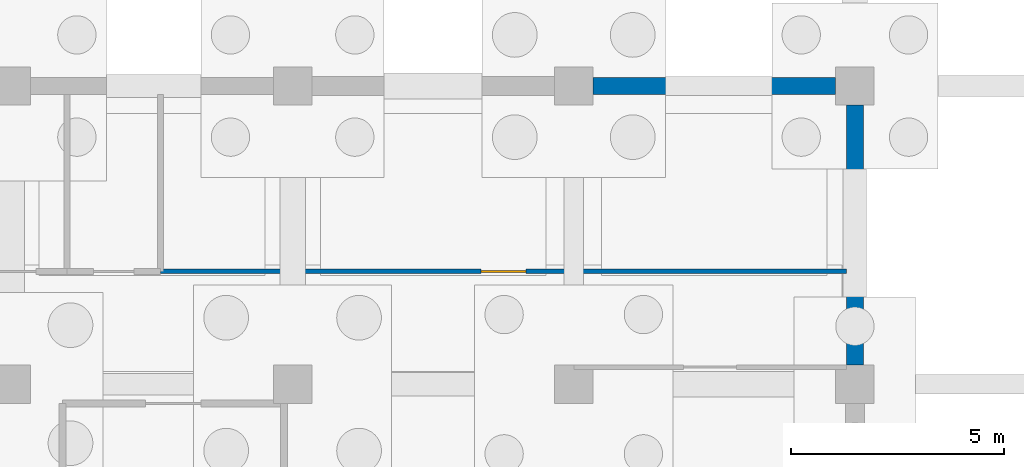
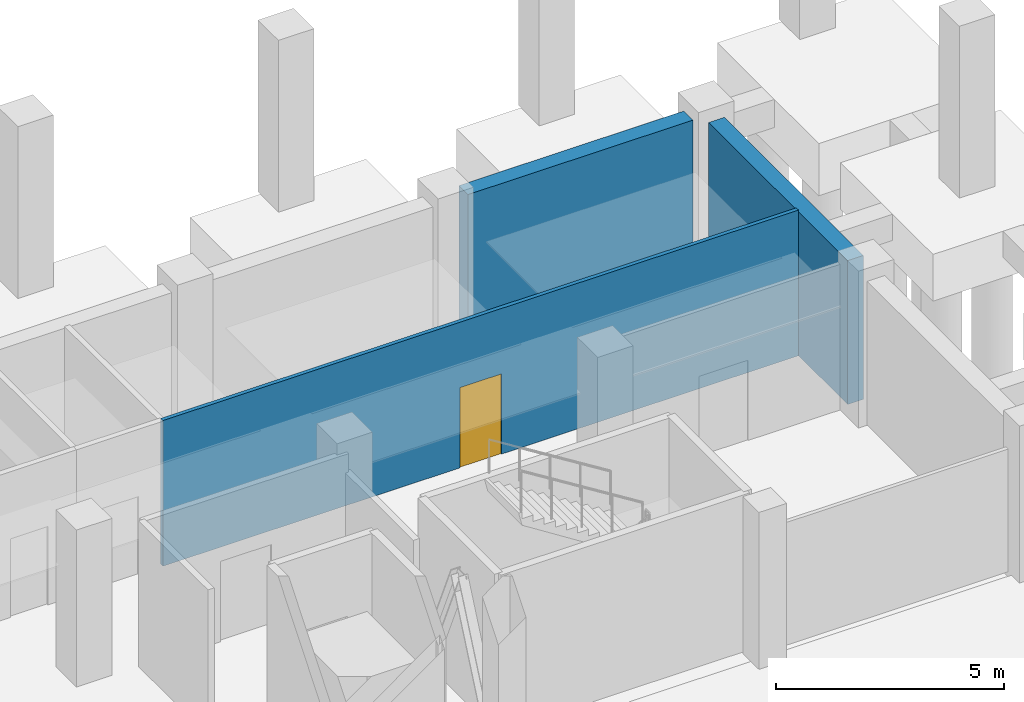
# One storey, part 20 of 27: 3 walls, 1 door, 1 opening.
"""IFC4 building model written with IfcOpenShell, lengths in metres."""

from ifc_helpers import new_model, si_unit, direction, frame, frame_2d, origin, place, context, subcontext, project, spatial, rectangle, extrude, material, layer, layer_set, type_object, element, fill, save


model = new_model("IFC4")

# Units and contexts
model_context = context("Model", 3, precision=1e-05, world=origin(), true_north=direction((0.0, 1.0)))
body_context = subcontext(model_context, "Body", "Model", "MODEL_VIEW")
ifc_project = project(units=[si_unit("LENGTHUNIT", "METRE"), si_unit("AREAUNIT", "SQUARE_METRE"), si_unit("VOLUMEUNIT", "CUBIC_METRE"), si_unit("PLANEANGLEUNIT", "RADIAN"), si_unit("MASSUNIT", "GRAM", prefix="KILO")], contexts=[model_context])

# Site, building, storey
site_placement = place(None, origin())
site = spatial("IfcSite", under=ifc_project, at=site_placement, CompositionType="ELEMENT")
building_placement = place(site_placement, origin())
building = spatial("IfcBuilding", under=site, at=building_placement, Name="Ciguamira Faculty of Natural Sciences", CompositionType="ELEMENT")
storey_placement = place(building_placement, frame((0.0, 0.0, -4.199951171875)))
storey = spatial("IfcBuildingStorey", under=building, at=storey_placement, Name="B1", CompositionType="ELEMENT", Elevation=-4.199951171875)

# Walls
ifc_material_1 = material(Name="Concrete C40/50", Category="concrete")
ifc_layer_1 = layer(ifc_material_1, 0.39990234375, Name="Concrete C40/50")
ifc_layer_set_1 = layer_set([ifc_layer_1], Name="Concrete C40/50")
wall_type_1 = type_object("IfcWallType", Name="ExtWall_RW-02_400", PredefinedType="SHEAR", material=ifc_layer_set_1)
wall_1_placement = place(storey_placement, frame((103.949951171875, 108.0, 0.0), z_axis=(0.0, 0.0, 1.0), x_axis=(1.0, 0.0, 0.0)))
element("IfcWall", 1, at=wall_1_placement, inside=storey, type_object=wall_type_1, Name="B1 exterior wall 0033", PredefinedType="SHEAR", context=body_context, shape_type="SweptSolid", body=[
    extrude(rectangle(XDim=5.699951171875, YDim=0.39990234375, at=frame_2d((2.85009765625, 0.0))), origin(), (0.0, 0.0, 1.0), 3.849853515625),
])
wall_2_placement = place(storey_placement, frame((110.10009765625, 101.449951171875, 0.0), z_axis=(0.0, 0.0, 1.0), x_axis=(0.0, 1.0, 0.0)))
element("IfcWall", 2, at=wall_2_placement, inside=storey, type_object=wall_type_1, Name="B1 exterior wall 0055", PredefinedType="SHEAR", context=body_context, shape_type="SweptSolid", body=[
    extrude(rectangle(XDim=6.10009765625, YDim=0.39990234375, at=frame_2d((3.050048828125, 0.0))), origin(), (0.0, 0.0, 1.0), 3.849853515625),
])

# Wall, opening, door
ifc_material_2 = material(Name="Fire-rated gypsum partition")
ifc_layer_2 = layer(ifc_material_2, 0.10009765625, Name="Fire-rated gypsum partition")
ifc_layer_set_2 = layer_set([ifc_layer_2], Name="Fire-rated gypsum partition")
wall_type_2 = type_object("IfcWallType", Name="IntWall_IW-A10_100", PredefinedType="PARTITIONING", material=ifc_layer_set_2)
wall_3_placement = place(storey_placement, frame((93.800048828125, 103.64990234375, 0.0), z_axis=(0.0, 0.0, 1.0), x_axis=(1.0, 0.0, 0.0)))
wall_3 = element("IfcWall", 3, at=wall_3_placement, inside=storey, type_object=wall_type_2, Name="B1 Cryogenic Nitrogen Archive Room partition south", PredefinedType="PARTITIONING", context=body_context, shape_type="SweptSolid", body=[
    extrude(rectangle(XDim=16.099853515625, YDim=0.10009765625, at=frame_2d((8.0498046875, 0.0))), origin(), (0.0, 0.0, 1.0), 3.89990234375),
])
opening_placement = place(wall_3_placement, frame((7.52490234375, 0.0, 0.0)))
opening = element("IfcOpeningElement", 4, at=opening_placement, cuts=wall_3, Name="Opening ID-04", PredefinedType="OPENING", context=body_context, shape_type="SweptSolid", body=[
    extrude(rectangle(XDim=1.050048828125, YDim=2.14990234375, at=frame_2d((0.52490234375, 1.074951171875))), frame((0.0, 0.06005859375, 0.0), z_axis=(0.0, -1.0, 0.0), x_axis=(1.0, 0.0, 0.0)), (0.0, 0.0, 1.0), 0.1201171875),
])
ifc_material_3 = material(Name="Seminar acoustic single door")
door_type = type_object("IfcDoorType", Name="IntDoor_ID-04_1050x2150", OperationType="NOTDEFINED", PredefinedType="DOOR", material=ifc_material_3)
door_placement = place(opening_placement, origin())
door = element("IfcDoor", 5, at=door_placement, inside=storey, type_object=door_type, Name="B1 Cryogenic Nitrogen Archive Room door", OperationType="SINGLE_SWING_LEFT", OverallHeight=2.14990234375, OverallWidth=1.050048828125, PredefinedType="DOOR", context=body_context, shape_type="SweptSolid", body=[
    extrude(rectangle(XDim=1.050048828125, YDim=2.14990234375, at=frame_2d((0.52490234375, 1.074951171875))), frame((0.0, 0.02490234375, 0.0), z_axis=(0.0, -1.0, 0.0), x_axis=(1.0, 0.0, 0.0)), (0.0, 0.0, 1.0), 0.050048828125),
])
fill(opening, door)

save(model, "model.ifc")
